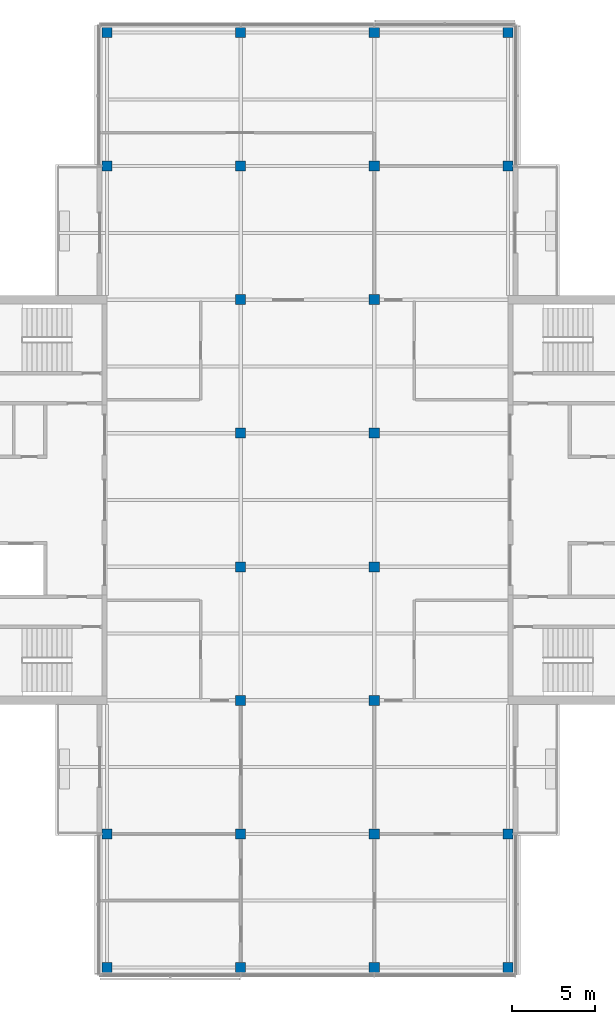
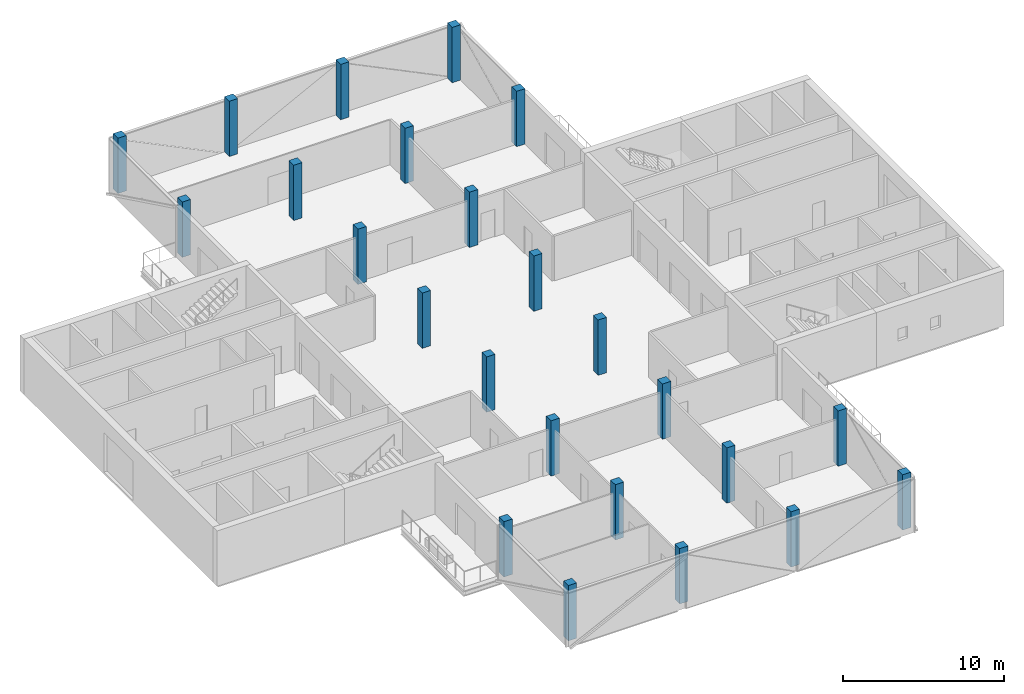
# One storey, part 1 of 11: 24 columns.
"""IFC4 building model written with IfcOpenShell, lengths in metres."""

from ifc_helpers import new_model, si_unit, direction, frame, origin, origin_2d, place, context, subcontext, project, spatial, rectangle, extrude, material, material_profile, profile_set, type_object, element, save


model = new_model("IFC4")

# Units and contexts
model_context = context("Model", 3, precision=1e-05, world=origin(), true_north=direction((0.0, 1.0)))
body_context = subcontext(model_context, "Body", "Model", "MODEL_VIEW")
ifc_project = project(units=[si_unit("LENGTHUNIT", "METRE"), si_unit("AREAUNIT", "SQUARE_METRE"), si_unit("VOLUMEUNIT", "CUBIC_METRE"), si_unit("PLANEANGLEUNIT", "RADIAN"), si_unit("MASSUNIT", "GRAM", prefix="KILO")], contexts=[model_context])

# Site, building, storey
site_placement = place(None, origin())
site = spatial("IfcSite", under=ifc_project, at=site_placement, CompositionType="ELEMENT")
building_placement = place(site_placement, origin())
building = spatial("IfcBuilding", under=site, at=building_placement, Name="Crosswind Convention Tower", CompositionType="ELEMENT")
storey_placement = place(building_placement, frame((0.0, 0.0, 344.89990234375)))
storey = spatial("IfcBuildingStorey", under=building, at=storey_placement, Name="L75", CompositionType="ELEMENT", Elevation=344.89990234375)

# Columns
ifc_material = material(Name="Concrete C60/75", Category="concrete")
ifc_material_profile = material_profile(ifc_material, rectangle(XDim=0.60009765625, YDim=0.60009765625, at=origin_2d()), Name="RC 600X600")
ifc_profile_set = profile_set([ifc_material_profile], Name="Concrete C60/75")
column_type = type_object("IfcColumnType", Name="Column RC 600X600", PredefinedType="COLUMN", material=ifc_profile_set)
for number, where, z_axis, x_axis, name in (
    (1, (113.0, 72.0, 0.0), (0.0, 0.0, 1.0), (1.0, 0.0, 0.0), "C16 L75 5/C"),
    (2, (113.0, 80.0, 0.0), (0.0, 0.0, 1.0), (1.0, 0.0, 0.0), "C16 L75 5/D"),
    (3, (113.0, 120.0, 0.0), (0.0, 0.0, 1.0), (1.0, 0.0, 0.0), "C16 L75 5/I"),
    (4, (113.0, 128.0, 0.0), (0.0, 0.0, 1.0), (1.0, 0.0, 0.0), "C16 L75 5/J"),
    (5, (121.0, 72.0, 0.0), (0.0, 0.0, 1.0), (1.0, 0.0, 0.0), "C16 L75 6/C"),
    (6, (121.0, 80.0, 0.0), (0.0, 0.0, 1.0), (1.0, 0.0, 0.0), "C16 L75 6/D"),
    (7, (121.0, 88.0, 0.0), (0.0, 0.0, 1.0), (1.0, 0.0, 0.0), "C16 L75 6/E"),
    (8, (121.0, 96.0, 0.0), (0.0, 0.0, 1.0), (1.0, 0.0, 0.0), "C16 L75 6/F"),
    (9, (121.0, 104.0, 0.0), (0.0, 0.0, 1.0), (1.0, 0.0, 0.0), "C16 L75 6/G"),
    (10, (121.0, 112.0, 0.0), (0.0, 0.0, 1.0), (1.0, 0.0, 0.0), "C16 L75 6/H"),
    (11, (121.0, 120.0, 0.0), (0.0, 0.0, 1.0), (1.0, 0.0, 0.0), "C16 L75 6/I"),
    (12, (121.0, 128.0, 0.0), (0.0, 0.0, 1.0), (1.0, 0.0, 0.0), "C16 L75 6/J"),
    (13, (129.0, 72.0, 0.0), (0.0, 0.0, 1.0), (1.0, 0.0, 0.0), "C16 L75 7/C"),
    (14, (129.0, 80.0, 0.0), (0.0, 0.0, 1.0), (1.0, 0.0, 0.0), "C16 L75 7/D"),
    (15, (129.0, 88.0, 0.0), (0.0, 0.0, 1.0), (1.0, 0.0, 0.0), "C16 L75 7/E"),
    (16, (129.0, 96.0, 0.0), (0.0, 0.0, 1.0), (1.0, 0.0, 0.0), "C16 L75 7/F"),
    (17, (129.0, 104.0, 0.0), (0.0, 0.0, 1.0), (1.0, 0.0, 0.0), "C16 L75 7/G"),
    (18, (129.0, 112.0, 0.0), (0.0, 0.0, 1.0), (1.0, 0.0, 0.0), "C16 L75 7/H"),
    (19, (129.0, 120.0, 0.0), (0.0, 0.0, 1.0), (1.0, 0.0, 0.0), "C16 L75 7/I"),
    (20, (129.0, 128.0, 0.0), (0.0, 0.0, 1.0), (1.0, 0.0, 0.0), "C16 L75 7/J"),
    (21, (137.0, 72.0, 0.0), (0.0, 0.0, 1.0), (1.0, 0.0, 0.0), "C16 L75 8/C"),
    (22, (137.0, 80.0, 0.0), (0.0, 0.0, 1.0), (1.0, 0.0, 0.0), "C16 L75 8/D"),
    (23, (137.0, 120.0, 0.0), (0.0, 0.0, 1.0), (1.0, 0.0, 0.0), "C16 L75 8/I"),
    (24, (137.0, 128.0, 0.0), (0.0, 0.0, 1.0), (1.0, 0.0, 0.0), "C16 L75 8/J"),
):
    element("IfcColumn", number, at=place(storey_placement, frame(where, z_axis=z_axis, x_axis=x_axis)), inside=storey, type_object=column_type, Name=name, PredefinedType="COLUMN", context=body_context, shape_type="SweptSolid", body=[
        extrude(rectangle(XDim=0.60009765625, YDim=0.60009765625, at=origin_2d()), origin(), (0.0, 0.0, 1.0), 4.2001953125),
    ])

save(model, "model.ifc")
